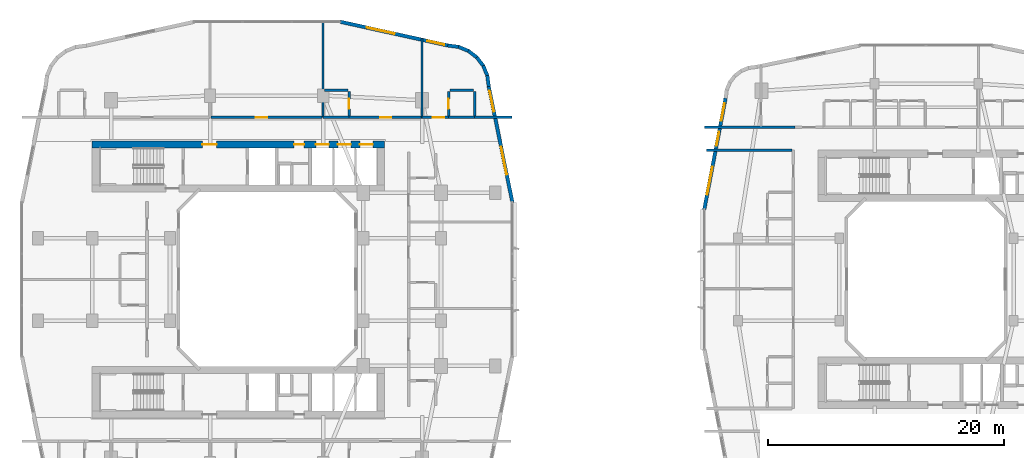
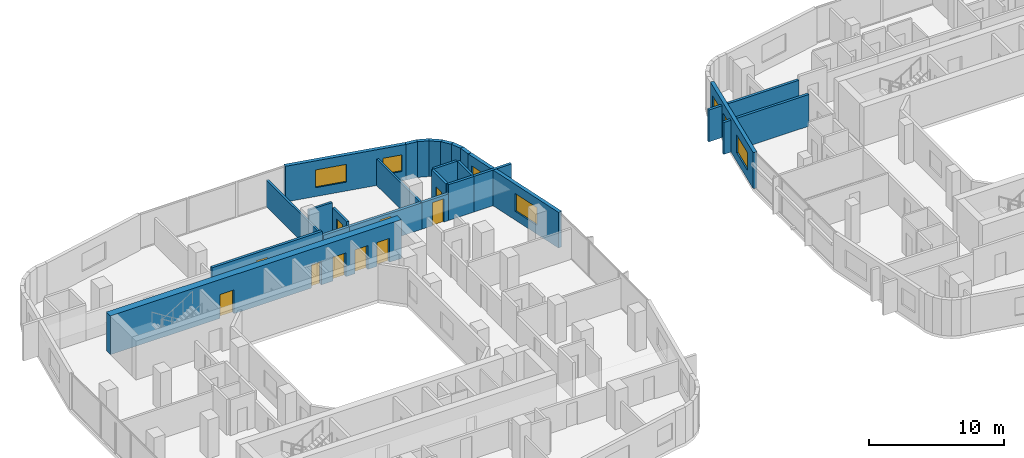
# One storey, part 17 of 27: 25 walls, 10 doors, 7 windows, 17 openings.
"""IFC4 building model written with IfcOpenShell, lengths in metres."""

import ifcopenshell
import ifcopenshell.guid

model = None  # the IFC model being written
_history = None  # IfcOwnerHistory: only IFC2X3 demands one
_inside = {}  # id of a spatial element -> (the spatial element, [elements in it])
_under = {}  # id of a project, library or spatial element -> (it, [spatial elements below it])
_declared = {}  # id of a project -> (the project, [libraries it declares])
_typed = {}  # id of a type object -> (the type object, [elements of that type])
_made_of = {}  # id of a material, layer set ... -> (it, [elements and type objects made of it])


def new_model(schema):
    """Start an empty IFC model of exactly this schema.

    Asked for "IFC4X3", IfcOpenShell would pick the latest addendum, in which some entities
    have other attributes; the version numbers below select the first issue.
    IFC2X3 requires an IfcOwnerHistory on every rooted entity: one is made here for all.
    """
    global model, _history
    if schema == "IFC4X3":
        model = ifcopenshell.file(schema_version=(4, 3, 0, 0))
    else:
        model = ifcopenshell.file(schema=schema)
    _inside.clear()
    _under.clear()
    _declared.clear()
    _typed.clear()
    _made_of.clear()
    _history = None
    if model.schema == "IFC2X3":
        org = make("IfcOrganization", Name="unknown")
        user = make(
            "IfcPersonAndOrganization",
            ThePerson=make("IfcPerson", FamilyName="unknown"),
            TheOrganization=org,
        )
        app = make(
            "IfcApplication",
            ApplicationDeveloper=org,
            Version="unknown",
            ApplicationFullName="unknown",
            ApplicationIdentifier="unknown",
        )
        _history = make(
            "IfcOwnerHistory",
            OwningUser=user,
            OwningApplication=app,
            ChangeAction="ADDED",
            CreationDate=0,
        )
    return model


def make(cls, **values):
    """One entity of the class cls with the attributes given. An attribute that is None is left unset."""
    return model.create_entity(
        cls, **{name: value for name, value in values.items() if value is not None}
    )


def rooted(cls, **values):
    """An entity with a GlobalId (a new one), such as an element, a storey or a relation."""
    return make(cls, GlobalId=ifcopenshell.guid.new(), OwnerHistory=_history, **values)


def si_unit(unit_type, name, prefix=None):
    """IfcSIUnit, for example si_unit("LENGTHUNIT", "METRE", prefix="MILLI")."""
    return make("IfcSIUnit", UnitType=unit_type, Prefix=prefix, Name=name)


def derived_unit(unit_type, elements):
    """IfcDerivedUnit: a product of units, each with its exponent."""
    return make(
        "IfcDerivedUnit",
        Elements=[
            make("IfcDerivedUnitElement", Unit=unit, Exponent=power)
            for unit, power in elements
        ],
        UnitType=unit_type,
    )


def assignment(units):
    """IfcUnitAssignment: the units of a project."""
    return None if units is None else make("IfcUnitAssignment", Units=units)


def point(xyz):
    """IfcCartesianPoint."""
    return None if xyz is None else make("IfcCartesianPoint", Coordinates=xyz)


def direction(xyz):
    """IfcDirection."""
    return None if xyz is None else make("IfcDirection", DirectionRatios=xyz)


def frame(location, z_axis=None, x_axis=None):
    """IfcAxis2Placement3D, a coordinate frame: its origin and axes. An axis left out is left unset."""
    return make(
        "IfcAxis2Placement3D",
        Location=point(location),
        Axis=direction(z_axis),
        RefDirection=direction(x_axis),
    )


def frame_2d(location, x_axis=None):
    """IfcAxis2Placement2D, a coordinate frame in the plane: its origin and x axis."""
    return make(
        "IfcAxis2Placement2D", Location=point(location), RefDirection=direction(x_axis)
    )


def origin():
    """The frame at (0, 0, 0) with its axes left unset."""
    return frame((0.0, 0.0, 0.0))


def place(relative_to, where):
    """IfcLocalPlacement: puts the frame where relative to a parent placement (None: the world)."""
    return make(
        "IfcLocalPlacement", PlacementRelTo=relative_to, RelativePlacement=where
    )


def context(
    kind, dimensions, precision=None, world=None, true_north=None, identifier=None
):
    """IfcGeometricRepresentationContext, for example the 3D "Model" context."""
    return make(
        "IfcGeometricRepresentationContext",
        ContextIdentifier=identifier,
        ContextType=kind,
        CoordinateSpaceDimension=dimensions,
        Precision=precision,
        WorldCoordinateSystem=world,
        TrueNorth=true_north,
    )


def subcontext(parent, identifier, kind, view, scale=None):
    """IfcGeometricRepresentationSubContext, for example "Body" below "Model"."""
    return make(
        "IfcGeometricRepresentationSubContext",
        ContextIdentifier=identifier,
        ContextType=kind,
        ParentContext=parent,
        TargetScale=scale,
        TargetView=view,
    )


def project(units=None, contexts=None):
    """IfcProject with its units and contexts."""
    return rooted(
        "IfcProject",
        Name="project",
        RepresentationContexts=contexts,
        UnitsInContext=assignment(units),
    )


def spatial(cls, under=None, at=None, **own):
    """A site, building, storey or space (cls), placed at a placement, below another one or the project."""
    s = rooted(cls, ObjectPlacement=at, **own)
    if under is not None:
        _under.setdefault(under.id(), (under, []))[1].append(s)
    return s


def profile(cls, at=None, kind="AREA", **sizes):
    """A parametric profile (cls). Its sizes go by their IFC names, for example OverallWidth=200.0."""
    return make(cls, ProfileType=kind, Position=at, **sizes)


def rectangle(**sizes):
    """IfcRectangleProfileDef."""
    return profile("IfcRectangleProfileDef", **sizes)


def extrude(swept, where, along, depth):
    """IfcExtrudedAreaSolid: the profile swept, set in the frame where, extruded along a direction by depth."""
    return make(
        "IfcExtrudedAreaSolid",
        SweptArea=swept,
        Position=where,
        ExtrudedDirection=direction(along),
        Depth=depth,
    )


def shape(context_of_items, identifier, shape_type, items):
    """IfcShapeRepresentation: the items that make up one representation, for example the "Body"."""
    return make(
        "IfcShapeRepresentation",
        ContextOfItems=context_of_items,
        RepresentationIdentifier=identifier,
        RepresentationType=shape_type,
        Items=items,
    )


def material(Name=None, Category=None):
    """IfcMaterial."""
    return make("IfcMaterial", Name=Name, Category=Category)


def layer(
    of_material, thickness, ventilated=None, Name=None, Category=None, Priority=None
):
    """IfcMaterialLayer: one layer of a wall or slab, of a material (None: an air gap)."""
    return make(
        "IfcMaterialLayer",
        Material=of_material,
        LayerThickness=thickness,
        IsVentilated=ventilated,
        Name=Name,
        Category=Category,
        Priority=Priority,
    )


def layer_set(layers, Name=None):
    """IfcMaterialLayerSet."""
    return make("IfcMaterialLayerSet", MaterialLayers=layers, LayerSetName=Name)


def made_of(thing, what):
    """Note that an element or type object is made of a material, layer set ...; save() writes the relation."""
    if what is not None:
        _made_of.setdefault(what.id(), (what, []))[1].append(thing)
    return thing


def type_object(cls, material=None, **own):
    """A type object (cls), such as IfcWallType, which elements share."""
    return made_of(rooted(cls, **own), material)


def element(
    cls,
    number,
    at=None,
    inside=None,
    cuts=None,
    type_object=None,
    material=None,
    context=None,
    identifier="Body",
    shape_type=None,
    held_by="IfcProductDefinitionShape",
    body=None,
    shapes=None,
    **own,
):
    """One element of the class cls, such as IfcWall. Its Tag is "e" and its number.

    at: its placement. inside: the storey or other place that contains it. cuts: it is an
    opening in that element (IfcRelVoidsElement). A single representation is given by context,
    identifier, shape_type and body (its items); several are given by shapes. held_by: the class
    of the entity that holds the representations. save() writes the other relations.
    """
    e = rooted(cls, Tag="e%d" % number, ObjectPlacement=at, **own)
    if body is not None:
        shapes = [shape(context, identifier, shape_type, body)]
    if shapes is not None:
        e.Representation = make(held_by, Representations=shapes)
    if inside is not None:
        _inside.setdefault(inside.id(), (inside, []))[1].append(e)
    if cuts is not None:
        rooted(
            "IfcRelVoidsElement", RelatingBuildingElement=cuts, RelatedOpeningElement=e
        )
    if type_object is not None:
        _typed.setdefault(type_object.id(), (type_object, []))[1].append(e)
    return made_of(e, material)


def fill(opening, filler):
    """IfcRelFillsElement: the door or window that sits in an opening."""
    return rooted(
        "IfcRelFillsElement",
        RelatingOpeningElement=opening,
        RelatedBuildingElement=filler,
    )


def aggregate(whole, parts):
    """IfcRelAggregates: a whole, such as a stair, and the parts it consists of."""
    return rooted("IfcRelAggregates", RelatingObject=whole, RelatedObjects=parts)


def save(model, path):
    """Write the relations noted so far, then the file.

    IfcRelAggregates (storeys below a building ...), IfcRelContainedInSpatialStructure (elements
    in a storey), IfcRelDefinesByType, IfcRelAssociatesMaterial and IfcRelDeclares: one each for
    every whole, place, type object, material and project.
    """
    for whole, parts in _under.values():
        aggregate(whole, parts)
    for where, things in _inside.values():
        rooted(
            "IfcRelContainedInSpatialStructure",
            RelatedElements=things,
            RelatingStructure=where,
        )
    for kind, things in _typed.values():
        rooted("IfcRelDefinesByType", RelatedObjects=things, RelatingType=kind)
    for what, things in _made_of.values():
        rooted("IfcRelAssociatesMaterial", RelatedObjects=things, RelatingMaterial=what)
    for by, libraries in _declared.values():
        rooted("IfcRelDeclares", RelatingContext=by, RelatedDefinitions=libraries)
    model.write(path)


model = new_model("IFC4")

# Units and contexts
model_context = context("Model", 3, precision=1e-05, world=origin(), true_north=direction((0.0, 1.0)))
body_context = subcontext(model_context, "Body", "Model", "MODEL_VIEW")
ifc_project = project(units=[si_unit("LENGTHUNIT", "METRE"), si_unit("AREAUNIT", "SQUARE_METRE"), si_unit("VOLUMEUNIT", "CUBIC_METRE"), si_unit("PLANEANGLEUNIT", "RADIAN"), si_unit("MASSUNIT", "GRAM", prefix="KILO"), derived_unit("THERMALTRANSMITTANCEUNIT", [(si_unit("POWERUNIT", "WATT"), 1), (si_unit("LENGTHUNIT", "METRE"), -2), (si_unit("THERMODYNAMICTEMPERATUREUNIT", "KELVIN"), -1)])], contexts=[model_context])

# Site, building, storey
site_placement = place(None, origin())
site = spatial("IfcSite", under=ifc_project, at=site_placement, CompositionType="ELEMENT")
building_placement = place(site_placement, origin())
building = spatial("IfcBuilding", under=site, at=building_placement, Name="Kivonza Crest Hotel", CompositionType="ELEMENT")
storey_placement = place(building_placement, frame((0.0, 0.0, 31.0)))
storey = spatial("IfcBuildingStorey", under=building, at=storey_placement, Name="L07", CompositionType="ELEMENT", Elevation=31.0)

# Walls
ifc_material_1 = material(Name="High-density acoustic masonry inter-tenancy wall", Category="masonry")
ifc_layer_1 = layer(ifc_material_1, 0.179931640625)
ifc_layer_set_1 = layer_set([ifc_layer_1], Name="High-density acoustic masonry inter-tenancy wall")
wall_type_1 = type_object("IfcWallType", Name="WL-ACOU-180", PredefinedType="SOLIDWALL", material=ifc_layer_set_1)
wall_1_placement = place(storey_placement, frame((25.800048828125, 38.75, 0.0), z_axis=(0.0, 0.0, 1.0), x_axis=(0.0, 1.0, 0.0)))
element("IfcWall", 1, at=wall_1_placement, inside=storey, type_object=wall_type_1, Name="L07 interior partition WA-L07-T1N-DIV2", PredefinedType="SOLIDWALL", context=body_context, shape_type="SweptSolid", body=[
    extrude(rectangle(XDim=8.18994140625, YDim=0.179931640625, at=frame_2d((4.094970703125, 0.0))), origin(), (0.0, 0.0, 1.0), 2.39501953125),
])
wall_2_placement = place(storey_placement, frame((34.199951171875, 38.75, 0.0), z_axis=(0.0, 0.0, 1.0), x_axis=(0.0, 1.0, 0.0)))
element("IfcWall", 2, at=wall_2_placement, inside=storey, type_object=wall_type_1, Name="L07 interior partition WA-L07-T1N-DIV3", PredefinedType="SOLIDWALL", context=body_context, shape_type="SweptSolid", body=[
    extrude(rectangle(XDim=6.674072265625, YDim=0.179931640625, at=frame_2d((3.3369140625, 0.0))), origin(), (0.0, 0.0, 1.0), 2.39501953125),
])

# Wall, opening, door
ifc_material_2 = material(Name="Autoclaved aerated concrete blockwork", Category="masonry")
ifc_layer_2 = layer(ifc_material_2, 0.219970703125)
ifc_layer_set_2 = layer_set([ifc_layer_2], Name="Autoclaved aerated concrete blockwork")
wall_type_2 = type_object("IfcWallType", Name="WL-ACOU-220", PredefinedType="SOLIDWALL", material=ifc_layer_set_2)
wall_3_placement = place(storey_placement, frame((16.300048828125, 38.75, 0.0), z_axis=(0.0, 0.0, 1.0), x_axis=(1.0, 0.0, 0.0)))
wall_3 = element("IfcWall", 3, at=wall_3_placement, inside=storey, type_object=wall_type_2, Name="L07 interior partition WA-L07-HK-MAIN-S", PredefinedType="SOLIDWALL", context=body_context, shape_type="SweptSolid", body=[
    extrude(rectangle(XDim=9.39990234375, YDim=0.219970703125, at=frame_2d((4.699951171875, 0.0))), origin(), (0.0, 0.0, 1.0), 2.794921875),
])
opening_1_placement = place(wall_3_placement, frame((3.79296875, 0.0, 0.0)))
opening_1 = element("IfcOpeningElement", 4, at=opening_1_placement, cuts=wall_3, Name="Opening DF-60S", PredefinedType="OPENING", context=body_context, shape_type="SweptSolid", body=[
    extrude(rectangle(XDim=0.949951171875, YDim=2.10009765625, at=frame_2d((0.47509765625, 1.050048828125))), frame((0.0, 0.1201171875, 0.0), z_axis=(0.0, -1.0, 0.0), x_axis=(1.0, 0.0, 0.0)), (0.0, 0.0, 1.0), 0.239990234375),
])
ifc_material_3 = material(Name="Hardwood timber oak", Category="wood")
door_type_1 = type_object("IfcDoorType", Name="DR-FD60-950", OperationType="NOTDEFINED", PredefinedType="DOOR", material=ifc_material_3)
door_1_placement = place(opening_1_placement, origin())
door_1 = element("IfcDoor", 5, at=door_1_placement, inside=storey, type_object=door_type_1, Name="L07 Housekeeping and Linen Room door", OperationType="SINGLE_SWING_RIGHT", OverallHeight=2.10009765625, OverallWidth=0.949951171875, PredefinedType="DOOR", context=body_context, shape_type="SweptSolid", body=[
    extrude(rectangle(XDim=0.949951171875, YDim=2.10009765625, at=frame_2d((0.47509765625, 1.050048828125))), frame((0.0, 0.02490234375, 0.0), z_axis=(0.0, -1.0, 0.0), x_axis=(1.0, 0.0, 0.0)), (0.0, 0.0, 1.0), 0.050048828125),
])
fill(opening_1, door_1)

# Wall
wall_4_placement = place(storey_placement, frame((25.800048828125, 38.75, 0.0), z_axis=(0.0, 0.0, 1.0), x_axis=(1.0, 0.0, 0.0)))
element("IfcWall", 6, at=wall_4_placement, inside=storey, type_object=wall_type_2, Name="L07 interior partition WA-L07-N02-BCORR", PredefinedType="SOLIDWALL", context=body_context, shape_type="SweptSolid", body=[
    extrude(rectangle(XDim=2.199951171875, YDim=0.219970703125, at=frame_2d((1.10009765625, 0.0))), origin(), (0.0, 0.0, 1.0), 2.39501953125),
])

# Wall, opening, door
wall_5_placement = place(storey_placement, frame((28.0, 38.75, 0.0), z_axis=(0.0, 0.0, 1.0), x_axis=(1.0, 0.0, 0.0)))
wall_5 = element("IfcWall", 7, at=wall_5_placement, inside=storey, type_object=wall_type_2, Name="L07 interior partition WA-L07-N02-MCORR", PredefinedType="SOLIDWALL", context=body_context, shape_type="SweptSolid", body=[
    extrude(rectangle(XDim=6.199951171875, YDim=0.219970703125, at=frame_2d((3.10009765625, 0.0))), origin(), (0.0, 0.0, 1.0), 2.39501953125),
])
opening_2_placement = place(wall_5_placement, frame((2.625, 0.0, 0.0)))
opening_2 = element("IfcOpeningElement", 8, at=opening_2_placement, cuts=wall_5, Name="Opening DU-60", PredefinedType="OPENING", context=body_context, shape_type="SweptSolid", body=[
    extrude(rectangle(XDim=0.949951171875, YDim=2.10009765625, at=frame_2d((0.47509765625, 1.050048828125))), frame((0.0, 0.1201171875, 0.0), z_axis=(0.0, -1.0, 0.0), x_axis=(1.0, 0.0, 0.0)), (0.0, 0.0, 1.0), 0.239990234375),
])
door_type_2 = type_object("IfcDoorType", Name="DR-UNIT-950", OperationType="NOTDEFINED", PredefinedType="DOOR", material=ifc_material_3)
door_2_placement = place(opening_2_placement, origin())
door_2 = element("IfcDoor", 9, at=door_2_placement, inside=storey, type_object=door_type_2, Name="L07 N02 guest unit entrance fire door", OperationType="SINGLE_SWING_RIGHT", OverallHeight=2.10009765625, OverallWidth=0.949951171875, PredefinedType="DOOR", context=body_context, shape_type="SweptSolid", body=[
    extrude(rectangle(XDim=0.949951171875, YDim=2.10009765625, at=frame_2d((0.47509765625, 1.050048828125))), frame((0.0, 0.02490234375, 0.0), z_axis=(0.0, -1.0, 0.0), x_axis=(1.0, 0.0, 0.0)), (0.0, 0.0, 1.0), 0.050048828125),
])
fill(opening_2, door_2)

# Walls
wall_6_placement = place(storey_placement, frame((38.64990234375, 38.75, 0.0), z_axis=(0.0, 0.0, 1.0), x_axis=(1.0, 0.0, 0.0)))
element("IfcWall", 10, at=wall_6_placement, inside=storey, type_object=wall_type_2, Name="L07 interior partition WA-L07-N03-XCORR", PredefinedType="SOLIDWALL", context=body_context, shape_type="SweptSolid", body=[
    extrude(rectangle(XDim=3.190185546875, YDim=0.219970703125, at=frame_2d((1.59521484375, 0.0))), origin(), (0.0, 0.0, 1.0), 3.219970703125),
])
wall_7_placement = place(storey_placement, frame((36.449951171875, 38.75, 0.0), z_axis=(0.0, 0.0, 1.0), x_axis=(1.0, 0.0, 0.0)))
element("IfcWall", 11, at=wall_7_placement, inside=storey, type_object=wall_type_2, Name="L07 interior partition WA-L07-N03-BCORR", PredefinedType="SOLIDWALL", context=body_context, shape_type="SweptSolid", body=[
    extrude(rectangle(XDim=2.199951171875, YDim=0.219970703125, at=frame_2d((1.10009765625, 0.0))), origin(), (0.0, 0.0, 1.0), 3.219970703125),
])

# Wall, opening, door
wall_8_placement = place(storey_placement, frame((34.199951171875, 38.75, 0.0), z_axis=(0.0, 0.0, 1.0), x_axis=(1.0, 0.0, 0.0)))
wall_8 = element("IfcWall", 12, at=wall_8_placement, inside=storey, type_object=wall_type_2, Name="L07 interior partition WA-L07-N03-MCORR", PredefinedType="SOLIDWALL", context=body_context, shape_type="SweptSolid", body=[
    extrude(rectangle(XDim=2.25, YDim=0.219970703125, at=frame_2d((1.125, 0.0))), origin(), (0.0, 0.0, 1.0), 2.39501953125),
])
opening_3_placement = place(wall_8_placement, frame((0.909912109375, 0.0, 0.0)))
opening_3 = element("IfcOpeningElement", 13, at=opening_3_placement, cuts=wall_8, Name="Opening DU-60", PredefinedType="OPENING", context=body_context, shape_type="SweptSolid", body=[
    extrude(rectangle(XDim=0.949951171875, YDim=2.10009765625, at=frame_2d((0.47509765625, 1.050048828125))), frame((0.0, 0.1201171875, 0.0), z_axis=(0.0, -1.0, 0.0), x_axis=(1.0, 0.0, 0.0)), (0.0, 0.0, 1.0), 0.239990234375),
])
door_3_placement = place(opening_3_placement, origin())
door_3 = element("IfcDoor", 14, at=door_3_placement, inside=storey, type_object=door_type_2, Name="L07 N03 guest unit entrance fire door", OperationType="SINGLE_SWING_LEFT", OverallHeight=2.10009765625, OverallWidth=0.949951171875, PredefinedType="DOOR", context=body_context, shape_type="SweptSolid", body=[
    extrude(rectangle(XDim=0.949951171875, YDim=2.10009765625, at=frame_2d((0.47509765625, 1.050048828125))), frame((0.0, 0.02490234375, 0.0), z_axis=(0.0, -1.0, 0.0), x_axis=(1.0, 0.0, 0.0)), (0.0, 0.0, 1.0), 0.050048828125),
])
fill(opening_3, door_3)

# Walls
wall_9_placement = place(storey_placement, frame((58.159912109375, 37.89990234375, 0.0), z_axis=(0.0, 0.0, 1.0), x_axis=(1.0, 0.0, 0.0)))
element("IfcWall", 15, at=wall_9_placement, inside=storey, type_object=wall_type_2, Name="L07 interior partition WA-L07-A01-LCORR", PredefinedType="SOLIDWALL", context=body_context, shape_type="SweptSolid", body=[
    extrude(rectangle(XDim=7.690185546875, YDim=0.219970703125, at=frame_2d((3.84521484375, 0.0))), origin(), (0.0, 0.0, 1.0), 2.864990234375),
])
wall_10_placement = place(storey_placement, frame((58.320068359375, 35.9599609375, 0.0), z_axis=(0.0, 0.0, 1.0), x_axis=(1.0, 0.0, 0.0)))
element("IfcWall", 16, at=wall_10_placement, inside=storey, type_object=wall_type_2, Name="L07 interior partition WA-L07-T2W-ENDN", PredefinedType="SOLIDWALL", context=body_context, shape_type="SweptSolid", body=[
    extrude(rectangle(XDim=7.280029296875, YDim=0.219970703125, at=frame_2d((3.64013671875, 0.0))), origin(), (0.0, 0.0, 1.0), 2.864990234375),
])

# Wall, openings, doors
ifc_material_4 = material(Name="Concrete C60/75", Category="concrete")
ifc_layer_3 = layer(ifc_material_4, 0.60009765625)
ifc_layer_set_3 = layer_set([ifc_layer_3], Name="Concrete C60/75")
wall_type_3 = type_object("IfcWallType", Name="WL-CORE-600", PredefinedType="SHEAR", material=ifc_layer_set_3)
wall_11_placement = place(storey_placement, frame((6.199951171875, 36.4599609375, 0.0), z_axis=(0.0, 0.0, 1.0), x_axis=(1.0, 0.0, 0.0)))
wall_11 = element("IfcWall", 17, at=wall_11_placement, inside=storey, type_object=wall_type_3, Name="Core wall T1-N North L07", PredefinedType="SHEAR", context=body_context, shape_type="SweptSolid", body=[
    extrude(rectangle(XDim=24.800048828125, YDim=0.60009765625, at=frame_2d((12.39990234375, 0.0))), origin(), (0.0, 0.0, 1.0), 3.5),
])
opening_4_placement = place(wall_11_placement, frame((9.35009765625, 0.0, 0.0)))
opening_4 = element("IfcOpeningElement", 18, at=opening_4_placement, cuts=wall_11, Name="Opening DF-60", PredefinedType="OPENING", context=body_context, shape_type="SweptSolid", body=[
    extrude(rectangle(XDim=1.199951171875, YDim=2.14990234375, at=frame_2d((0.60009765625, 1.074951171875))), frame((0.0, 0.31005859375, 0.0), z_axis=(0.0, -1.0, 0.0), x_axis=(1.0, 0.0, 0.0)), (0.0, 0.0, 1.0), 0.6201171875),
])
opening_5_placement = place(wall_11_placement, frame((17.139892578125, 0.0, 0.0)))
opening_5 = element("IfcOpeningElement", 19, at=opening_5_placement, cuts=wall_11, Name="Opening DF-60R", PredefinedType="OPENING", context=body_context, shape_type="SweptSolid", body=[
    extrude(rectangle(XDim=0.85009765625, YDim=2.10009765625, at=frame_2d((0.425048828125, 1.050048828125))), frame((0.0, 0.31005859375, 0.0), z_axis=(0.0, -1.0, 0.0), x_axis=(1.0, 0.0, 0.0)), (0.0, 0.0, 1.0), 0.6201171875),
])
opening_6_placement = place(wall_11_placement, frame((18.98291015625, 0.0, 0.0)))
opening_6 = element("IfcOpeningElement", 20, at=opening_6_placement, cuts=wall_11, Name="Opening LD-120", PredefinedType="OPENING", context=body_context, shape_type="SweptSolid", body=[
    extrude(rectangle(XDim=1.10009765625, YDim=2.14990234375, at=frame_2d((0.550048828125, 1.074951171875))), frame((0.0, 0.31005859375, 0.0), z_axis=(0.0, -1.0, 0.0), x_axis=(1.0, 0.0, 0.0)), (0.0, 0.0, 1.0), 0.6201171875),
])
opening_7_placement = place(wall_11_placement, frame((20.85009765625, 0.0, 0.0)))
opening_7 = element("IfcOpeningElement", 21, at=opening_7_placement, cuts=wall_11, Name="Opening LD-120", PredefinedType="OPENING", context=body_context, shape_type="SweptSolid", body=[
    extrude(rectangle(XDim=1.10009765625, YDim=2.14990234375, at=frame_2d((0.550048828125, 1.074951171875))), frame((0.0, 0.31005859375, 0.0), z_axis=(0.0, -1.0, 0.0), x_axis=(1.0, 0.0, 0.0)), (0.0, 0.0, 1.0), 0.6201171875),
])
opening_8_placement = place(wall_11_placement, frame((22.716064453125, 0.0, 0.0)))
opening_8 = element("IfcOpeningElement", 22, at=opening_8_placement, cuts=wall_11, Name="Opening LD-120", PredefinedType="OPENING", context=body_context, shape_type="SweptSolid", body=[
    extrude(rectangle(XDim=1.10009765625, YDim=2.14990234375, at=frame_2d((0.550048828125, 1.074951171875))), frame((0.0, 0.31005859375, 0.0), z_axis=(0.0, -1.0, 0.0), x_axis=(1.0, 0.0, 0.0)), (0.0, 0.0, 1.0), 0.6201171875),
])
door_type_3 = type_object("IfcDoorType", Name="DR-FD60-1200", OperationType="NOTDEFINED", PredefinedType="DOOR", material=ifc_material_3)
door_4_placement = place(opening_4_placement, origin())
door_4 = element("IfcDoor", 23, at=door_4_placement, inside=storey, type_object=door_type_3, Name="L07 T1-N firefighting lobby fire door", OperationType="SINGLE_SWING_RIGHT", OverallHeight=2.14990234375, OverallWidth=1.199951171875, PredefinedType="DOOR", context=body_context, shape_type="SweptSolid", body=[
    extrude(rectangle(XDim=1.199951171875, YDim=2.14990234375, at=frame_2d((0.60009765625, 1.074951171875))), frame((0.0, 0.02490234375, 0.0), z_axis=(0.0, -1.0, 0.0), x_axis=(1.0, 0.0, 0.0)), (0.0, 0.0, 1.0), 0.050048828125),
])
fill(opening_4, door_4)
door_type_4 = type_object("IfcDoorType", Name="DR-FD60-850", OperationType="NOTDEFINED", PredefinedType="DOOR", material=ifc_material_3)
door_5_placement = place(opening_5_placement, origin())
door_5 = element("IfcDoor", 24, at=door_5_placement, inside=storey, type_object=door_type_4, Name="L07 T1-N core room door", OperationType="SINGLE_SWING_RIGHT", OverallHeight=2.10009765625, OverallWidth=0.85009765625, PredefinedType="DOOR", context=body_context, shape_type="SweptSolid", body=[
    extrude(rectangle(XDim=0.85009765625, YDim=2.10009765625, at=frame_2d((0.425048828125, 1.050048828125))), frame((0.0, 0.02490234375, 0.0), z_axis=(0.0, -1.0, 0.0), x_axis=(1.0, 0.0, 0.0)), (0.0, 0.0, 1.0), 0.050048828125),
])
fill(opening_5, door_5)
ifc_material_5 = material(Name="Stainless steel", Category="steel")
door_type_5 = type_object("IfcDoorType", Name="DR-LD120-1100", OperationType="NOTDEFINED", PredefinedType="DOOR", material=ifc_material_5)
door_6_placement = place(opening_6_placement, origin())
door_6 = element("IfcDoor", 25, at=door_6_placement, inside=storey, type_object=door_type_5, Name="L07 PL-T1-L1 passenger lift sliding landing door", OperationType="DOUBLE_DOOR_SLIDING", OverallHeight=2.14990234375, OverallWidth=1.10009765625, PredefinedType="DOOR", context=body_context, shape_type="SweptSolid", body=[
    extrude(rectangle(XDim=1.10009765625, YDim=2.14990234375, at=frame_2d((0.550048828125, 1.074951171875))), frame((0.0, 0.02490234375, 0.0), z_axis=(0.0, -1.0, 0.0), x_axis=(1.0, 0.0, 0.0)), (0.0, 0.0, 1.0), 0.050048828125),
])
fill(opening_6, door_6)
door_7_placement = place(opening_7_placement, origin())
door_7 = element("IfcDoor", 26, at=door_7_placement, inside=storey, type_object=door_type_5, Name="L07 PL-T1-L2 passenger lift sliding landing door", OperationType="DOUBLE_DOOR_SLIDING", OverallHeight=2.14990234375, OverallWidth=1.10009765625, PredefinedType="DOOR", context=body_context, shape_type="SweptSolid", body=[
    extrude(rectangle(XDim=1.10009765625, YDim=2.14990234375, at=frame_2d((0.550048828125, 1.074951171875))), frame((0.0, 0.02490234375, 0.0), z_axis=(0.0, -1.0, 0.0), x_axis=(1.0, 0.0, 0.0)), (0.0, 0.0, 1.0), 0.050048828125),
])
fill(opening_7, door_7)
door_8_placement = place(opening_8_placement, origin())
door_8 = element("IfcDoor", 27, at=door_8_placement, inside=storey, type_object=door_type_5, Name="L07 PL-T1-L3 passenger lift sliding landing door", OperationType="DOUBLE_DOOR_SLIDING", OverallHeight=2.14990234375, OverallWidth=1.10009765625, PredefinedType="DOOR", context=body_context, shape_type="SweptSolid", body=[
    extrude(rectangle(XDim=1.10009765625, YDim=2.14990234375, at=frame_2d((0.550048828125, 1.074951171875))), frame((0.0, 0.02490234375, 0.0), z_axis=(0.0, -1.0, 0.0), x_axis=(1.0, 0.0, 0.0)), (0.0, 0.0, 1.0), 0.050048828125),
])
fill(opening_8, door_8)

# Wall, openings, windows
ifc_material_6 = material(Name="Precast concrete C40/50", Category="concrete")
ifc_layer_4 = layer(ifc_material_6, 0.300048828125)
ifc_layer_set_4 = layer_set([ifc_layer_4], Name="Precast concrete C40/50")
wall_type_4 = type_object("IfcWallType", Name="WL-EXT-300", PredefinedType="STANDARD", material=ifc_layer_set_4)
wall_12_placement = place(storey_placement, frame((41.864013671875, 31.51611328125, 0.0), z_axis=(0.0, 0.0, 1.0), x_axis=(-0.199990901713, 0.979797754249, 0.0)))
wall_12 = element("IfcWall", 28, at=wall_12_placement, inside=storey, type_object=wall_type_4, Name="L07 T1 exterior insulated wall 18", PredefinedType="STANDARD", context=body_context, shape_type="SweptSolid", body=[
    extrude(rectangle(XDim=10.065185546875, YDim=0.300048828125, at=frame_2d((5.03271484375, 0.0))), origin(), (0.0, 0.0, 1.0), 3.219970703125),
])
opening_9_placement = place(wall_12_placement, frame((2.428955078125, 0.0, 0.800048828125)))
opening_9 = element("IfcOpeningElement", 29, at=opening_9_placement, cuts=wall_12, Name="Opening WN-05", PredefinedType="OPENING", context=body_context, shape_type="SweptSolid", body=[
    extrude(rectangle(XDim=2.39990234375, YDim=1.60009765625, at=frame_2d((1.199951171875, 0.800048828125))), frame((0.0, 0.16015625, 0.0), z_axis=(0.0, -1.0, 0.0), x_axis=(1.0, 0.0, 0.0)), (0.0, 0.0, 1.0), 0.320068359375),
])
opening_10_placement = place(wall_12_placement, frame((7.886962890625, 0.0, 0.85009765625)))
opening_10 = element("IfcOpeningElement", 30, at=opening_10_placement, cuts=wall_12, Name="Opening WN-03", PredefinedType="OPENING", context=body_context, shape_type="SweptSolid", body=[
    extrude(rectangle(XDim=1.800048828125, YDim=1.5, at=frame_2d((0.89990234375, 0.75))), frame((0.0, 0.16015625, 0.0), z_axis=(0.0, -1.0, 0.0), x_axis=(1.0, 0.0, 0.0)), (0.0, 0.0, 1.0), 0.320068359375),
])
ifc_material_7 = material(Name="Thermally broken bronze aluminium and low-E double glazing", Category="aluminium")
window_type_1 = type_object("IfcWindowType", Name="WN-180x150", PartitioningType="DOUBLE_PANEL_VERTICAL", PredefinedType="WINDOW", material=ifc_material_7)
window_1_placement = place(opening_10_placement, origin())
window_1 = element("IfcWindow", 31, at=window_1_placement, inside=storey, type_object=window_type_1, Name="L07 T1 facade window 18 bay 2", OverallHeight=1.5, OverallWidth=1.800048828125, PartitioningType="SINGLE_PANEL", PredefinedType="WINDOW", context=body_context, shape_type="SweptSolid", body=[
    extrude(rectangle(XDim=1.800048828125, YDim=1.5, at=frame_2d((0.89990234375, 0.75))), frame((0.0, 0.030029296875, 0.0), z_axis=(0.0, -1.0, 0.0), x_axis=(1.0, 0.0, 0.0)), (0.0, 0.0, 1.0), 0.06005859375),
])
fill(opening_10, window_1)
window_type_2 = type_object("IfcWindowType", Name="WN-240x160", PartitioningType="TRIPLE_PANEL_VERTICAL", PredefinedType="WINDOW", material=ifc_material_7)
window_2_placement = place(opening_9_placement, origin())
window_2 = element("IfcWindow", 32, at=window_2_placement, inside=storey, type_object=window_type_2, Name="L07 T1 facade window 18 bay 1", OverallHeight=1.60009765625, OverallWidth=2.39990234375, PartitioningType="SINGLE_PANEL", PredefinedType="WINDOW", context=body_context, shape_type="SweptSolid", body=[
    extrude(rectangle(XDim=2.39990234375, YDim=1.60009765625, at=frame_2d((1.199951171875, 0.800048828125))), frame((0.0, 0.030029296875, 0.0), z_axis=(0.0, -1.0, 0.0), x_axis=(1.0, 0.0, 0.0)), (0.0, 0.0, 1.0), 0.06005859375),
])
fill(opening_9, window_2)

# Walls
wall_13_placement = place(storey_placement, frame((39.85205078125, 41.3720703125, 0.0), z_axis=(0.0, 0.0, 1.0), x_axis=(-0.131174864804, 0.991359246108, 0.0)))
element("IfcWall", 33, at=wall_13_placement, inside=storey, type_object=wall_type_4, Name="L07 T1 exterior insulated wall 19", PredefinedType="STANDARD", context=body_context, shape_type="SweptSolid", body=[
    extrude(rectangle(XDim=0.93798828125, YDim=0.300048828125, at=frame_2d((0.468994140625, 0.0))), origin(), (0.0, 0.0, 1.0), 3.219970703125),
])
wall_14_placement = place(storey_placement, frame((39.748046875, 42.251953125, 0.0), z_axis=(0.0, 0.0, 1.0), x_axis=(-0.382344263057, 0.924019948111, 0.0)))
element("IfcWall", 34, at=wall_14_placement, inside=storey, type_object=wall_type_4, Name="L07 T1 exterior insulated wall 20", PredefinedType="STANDARD", context=body_context, shape_type="SweptSolid", body=[
    extrude(rectangle(XDim=0.95458984375, YDim=0.300048828125, at=frame_2d((0.477294921875, 0.0))), origin(), (0.0, 0.0, 1.0), 3.219970703125),
])
wall_15_placement = place(storey_placement, frame((39.4140625, 43.089111328125, 0.0), z_axis=(0.0, 0.0, 1.0), x_axis=(-0.608474481025, 0.793573440799, 0.0)))
element("IfcWall", 35, at=wall_15_placement, inside=storey, type_object=wall_type_4, Name="L07 T1 exterior insulated wall 21", PredefinedType="STANDARD", context=body_context, shape_type="SweptSolid", body=[
    extrude(rectangle(XDim=0.954833984375, YDim=0.300048828125, at=frame_2d((0.4775390625, 0.0))), origin(), (0.0, 0.0, 1.0), 3.219970703125),
])
wall_16_placement = place(storey_placement, frame((38.875, 43.81201171875, 0.0), z_axis=(0.0, 0.0, 1.0), x_axis=(-0.793668068435, 0.608351047625, 0.0)))
element("IfcWall", 36, at=wall_16_placement, inside=storey, type_object=wall_type_4, Name="L07 T1 exterior insulated wall 22", PredefinedType="STANDARD", context=body_context, shape_type="SweptSolid", body=[
    extrude(rectangle(XDim=0.955078125, YDim=0.300048828125, at=frame_2d((0.4775390625, 0.0))), origin(), (0.0, 0.0, 1.0), 3.219970703125),
])
wall_17_placement = place(storey_placement, frame((38.166015625, 44.368896484375, 0.0), z_axis=(0.0, 0.0, 1.0), x_axis=(-0.924019948111, 0.382344263057, 0.0)))
element("IfcWall", 37, at=wall_17_placement, inside=storey, type_object=wall_type_4, Name="L07 T1 exterior insulated wall 23", PredefinedType="STANDARD", context=body_context, shape_type="SweptSolid", body=[
    extrude(rectangle(XDim=0.95458984375, YDim=0.300048828125, at=frame_2d((0.477294921875, 0.0))), origin(), (0.0, 0.0, 1.0), 3.219970703125),
])
wall_18_placement = place(storey_placement, frame((37.3369140625, 44.72509765625, 0.0), z_axis=(0.0, 0.0, 1.0), x_axis=(-0.991454295543, 0.130454512571, 0.0)))
element("IfcWall", 38, at=wall_18_placement, inside=storey, type_object=wall_type_4, Name="L07 T1 exterior insulated wall 24", PredefinedType="STANDARD", context=body_context, shape_type="SweptSolid", body=[
    extrude(rectangle(XDim=0.97314453125, YDim=0.300048828125, at=frame_2d((0.486572265625, 0.0))), origin(), (0.0, 0.0, 1.0), 3.219970703125),
])

# Wall, openings, windows
wall_19_placement = place(storey_placement, frame((36.3759765625, 44.85205078125, 0.0), z_axis=(0.0, 0.0, 1.0), x_axis=(-0.97654500432, 0.215313386808, 0.0)))
wall_19 = element("IfcWall", 39, at=wall_19_placement, inside=storey, type_object=wall_type_4, Name="L07 T1 exterior insulated wall 25", PredefinedType="STANDARD", context=body_context, shape_type="SweptSolid", body=[
    extrude(rectangle(XDim=9.353515625, YDim=0.300048828125, at=frame_2d((4.6767578125, 0.0))), origin(), (0.0, 0.0, 1.0), 3.219970703125),
])
opening_11_placement = place(wall_19_placement, frame((0.299072265625, 0.0, 0.85009765625)))
opening_11 = element("IfcOpeningElement", 40, at=opening_11_placement, cuts=wall_19, Name="Opening WN-02", PredefinedType="OPENING", context=body_context, shape_type="SweptSolid", body=[
    extrude(rectangle(XDim=1.5, YDim=1.5, at=frame_2d((0.75, 0.75))), frame((0.0, 0.16015625, 0.0), z_axis=(0.0, -1.0, 0.0), x_axis=(1.0, 0.0, 0.0)), (0.0, 0.0, 1.0), 0.320068359375),
])
opening_12_placement = place(wall_19_placement, frame((4.631103515625, 0.0, 0.800048828125)))
opening_12 = element("IfcOpeningElement", 41, at=opening_12_placement, cuts=wall_19, Name="Opening WN-05", PredefinedType="OPENING", context=body_context, shape_type="SweptSolid", body=[
    extrude(rectangle(XDim=2.39990234375, YDim=1.60009765625, at=frame_2d((1.199951171875, 0.800048828125))), frame((0.0, 0.16015625, 0.0), z_axis=(0.0, -1.0, 0.0), x_axis=(1.0, 0.0, 0.0)), (0.0, 0.0, 1.0), 0.320068359375),
])
window_type_3 = type_object("IfcWindowType", Name="WN-150x150", PartitioningType="DOUBLE_PANEL_VERTICAL", PredefinedType="WINDOW", material=ifc_material_7)
window_3_placement = place(opening_11_placement, origin())
window_3 = element("IfcWindow", 42, at=window_3_placement, inside=storey, type_object=window_type_3, Name="L07 T1 facade window 25 bay 1", OverallHeight=1.5, OverallWidth=1.5, PartitioningType="SINGLE_PANEL", PredefinedType="WINDOW", context=body_context, shape_type="SweptSolid", body=[
    extrude(rectangle(XDim=1.5, YDim=1.5, at=frame_2d((0.75, 0.75))), frame((0.0, 0.030029296875, 0.0), z_axis=(0.0, -1.0, 0.0), x_axis=(1.0, 0.0, 0.0)), (0.0, 0.0, 1.0), 0.06005859375),
])
fill(opening_11, window_3)
window_4_placement = place(opening_12_placement, origin())
window_4 = element("IfcWindow", 43, at=window_4_placement, inside=storey, type_object=window_type_2, Name="L07 T1 facade window 25 bay 2", OverallHeight=1.60009765625, OverallWidth=2.39990234375, PartitioningType="SINGLE_PANEL", PredefinedType="WINDOW", context=body_context, shape_type="SweptSolid", body=[
    extrude(rectangle(XDim=2.39990234375, YDim=1.60009765625, at=frame_2d((1.199951171875, 0.800048828125))), frame((0.0, 0.030029296875, 0.0), z_axis=(0.0, -1.0, 0.0), x_axis=(1.0, 0.0, 0.0)), (0.0, 0.0, 1.0), 0.06005859375),
])
fill(opening_12, window_4)

wall_20_placement = place(storey_placement, frame((59.948974609375, 40.3798828125, 0.0), z_axis=(0.0, 0.0, 1.0), x_axis=(-0.188087874316, -0.982152203854, 0.0)))
wall_20 = element("IfcWall", 44, at=wall_20_placement, inside=storey, type_object=wall_type_4, Name="L07 T2 exterior insulated wall 34", PredefinedType="STANDARD", context=body_context, shape_type="SweptSolid", body=[
    extrude(rectangle(XDim=9.6337890625, YDim=0.300048828125, at=frame_2d((4.81689453125, 0.0))), origin(), (0.0, 0.0, 1.0), 3.25),
])
opening_13_placement = place(wall_20_placement, frame((0.451904296875, 0.0, 0.85009765625)))
opening_13 = element("IfcOpeningElement", 45, at=opening_13_placement, cuts=wall_20, Name="Opening WN-02", PredefinedType="OPENING", context=body_context, shape_type="SweptSolid", body=[
    extrude(rectangle(XDim=1.5, YDim=1.5, at=frame_2d((0.75, 0.75))), frame((0.0, 0.16015625, 0.0), z_axis=(0.0, -1.0, 0.0), x_axis=(1.0, 0.0, 0.0)), (0.0, 0.0, 1.0), 0.320068359375),
])
opening_14_placement = place(wall_20_placement, frame((2.9130859375, 0.0, 0.85009765625)))
opening_14 = element("IfcOpeningElement", 46, at=opening_14_placement, cuts=wall_20, Name="Opening WN-01", PredefinedType="OPENING", context=body_context, shape_type="SweptSolid", body=[
    extrude(rectangle(XDim=1.199951171875, YDim=1.5, at=frame_2d((0.60009765625, 0.75))), frame((0.0, 0.16015625, 0.0), z_axis=(0.0, -1.0, 0.0), x_axis=(1.0, 0.0, 0.0)), (0.0, 0.0, 1.0), 0.320068359375),
])
opening_15_placement = place(wall_20_placement, frame((5.927978515625, 0.0, 0.800048828125)))
opening_15 = element("IfcOpeningElement", 47, at=opening_15_placement, cuts=wall_20, Name="Opening WN-05", PredefinedType="OPENING", context=body_context, shape_type="SweptSolid", body=[
    extrude(rectangle(XDim=2.39990234375, YDim=1.60009765625, at=frame_2d((1.199951171875, 0.800048828125))), frame((0.0, 0.16015625, 0.0), z_axis=(0.0, -1.0, 0.0), x_axis=(1.0, 0.0, 0.0)), (0.0, 0.0, 1.0), 0.320068359375),
])
window_type_4 = type_object("IfcWindowType", Name="WN-120x150", PartitioningType="SINGLE_PANEL", PredefinedType="WINDOW", material=ifc_material_7)
window_5_placement = place(opening_14_placement, origin())
window_5 = element("IfcWindow", 48, at=window_5_placement, inside=storey, type_object=window_type_4, Name="L07 T2 facade window 34 bay 2", OverallHeight=1.5, OverallWidth=1.199951171875, PartitioningType="SINGLE_PANEL", PredefinedType="WINDOW", context=body_context, shape_type="SweptSolid", body=[
    extrude(rectangle(XDim=1.199951171875, YDim=1.5, at=frame_2d((0.60009765625, 0.75))), frame((0.0, 0.030029296875, 0.0), z_axis=(0.0, -1.0, 0.0), x_axis=(1.0, 0.0, 0.0)), (0.0, 0.0, 1.0), 0.06005859375),
])
fill(opening_14, window_5)
window_6_placement = place(opening_13_placement, origin())
window_6 = element("IfcWindow", 49, at=window_6_placement, inside=storey, type_object=window_type_3, Name="L07 T2 facade window 34 bay 1", OverallHeight=1.5, OverallWidth=1.5, PartitioningType="SINGLE_PANEL", PredefinedType="WINDOW", context=body_context, shape_type="SweptSolid", body=[
    extrude(rectangle(XDim=1.5, YDim=1.5, at=frame_2d((0.75, 0.75))), frame((0.0, 0.030029296875, 0.0), z_axis=(0.0, -1.0, 0.0), x_axis=(1.0, 0.0, 0.0)), (0.0, 0.0, 1.0), 0.06005859375),
])
fill(opening_13, window_6)
window_7_placement = place(opening_15_placement, origin())
window_7 = element("IfcWindow", 50, at=window_7_placement, inside=storey, type_object=window_type_2, Name="L07 T2 facade window 34 bay 3", OverallHeight=1.60009765625, OverallWidth=2.39990234375, PartitioningType="SINGLE_PANEL", PredefinedType="WINDOW", context=body_context, shape_type="SweptSolid", body=[
    extrude(rectangle(XDim=2.39990234375, YDim=1.60009765625, at=frame_2d((1.199951171875, 0.800048828125))), frame((0.0, 0.030029296875, 0.0), z_axis=(0.0, -1.0, 0.0), x_axis=(1.0, 0.0, 0.0)), (0.0, 0.0, 1.0), 0.06005859375),
])
fill(opening_15, window_7)

# Wall, opening, door
ifc_material_8 = material(Name="Moisture-resistant plumbing chase partition wall", Category="gypsum")
ifc_layer_5 = layer(ifc_material_8, 0.199951171875)
ifc_layer_set_5 = layer_set([ifc_layer_5], Name="Moisture-resistant plumbing chase partition wall")
wall_type_5 = type_object("IfcWallType", Name="WL-PLUMB-200", PredefinedType="PLUMBINGWALL", material=ifc_layer_set_5)
wall_21_placement = place(storey_placement, frame((28.0, 38.85009765625, 0.0), z_axis=(0.0, 0.0, 1.0), x_axis=(0.0, 1.0, 0.0)))
wall_21 = element("IfcWall", 51, at=wall_21_placement, inside=storey, type_object=wall_type_5, Name="L07 interior partition WW-L07-N02-BV", PredefinedType="PLUMBINGWALL", context=body_context, shape_type="SweptSolid", body=[
    extrude(rectangle(XDim=2.099853515625, YDim=0.199951171875, at=frame_2d((1.0498046875, 0.0))), origin(), (0.0, 0.0, 1.0), 2.7451171875),
])
opening_16_placement = place(wall_21_placement, frame((0.625, 0.0, 0.0)))
opening_16 = element("IfcOpeningElement", 52, at=opening_16_placement, cuts=wall_21, Name="Opening DI-85", PredefinedType="OPENING", context=body_context, shape_type="SweptSolid", body=[
    extrude(rectangle(XDim=0.85009765625, YDim=2.10009765625, at=frame_2d((0.425048828125, 1.050048828125))), frame((0.0, 0.10986328125, 0.0), z_axis=(0.0, -1.0, 0.0), x_axis=(1.0, 0.0, 0.0)), (0.0, 0.0, 1.0), 0.219970703125),
])
door_type_6 = type_object("IfcDoorType", Name="DR-INT-850", OperationType="NOTDEFINED", PredefinedType="DOOR", material=ifc_material_3)
door_9_placement = place(opening_16_placement, frame((0.85009765625, 0.0, 0.0), z_axis=(0.0, 0.0, 1.0), x_axis=(-1.0, 0.0, 0.0)))
door_9 = element("IfcDoor", 53, at=door_9_placement, inside=storey, type_object=door_type_6, Name="L07 N02 en-suite bathroom door", OperationType="SINGLE_SWING_LEFT", OverallHeight=2.10009765625, OverallWidth=0.85009765625, PredefinedType="DOOR", context=body_context, shape_type="SweptSolid", body=[
    extrude(rectangle(XDim=0.85009765625, YDim=2.10009765625, at=frame_2d((0.425048828125, 1.050048828125))), frame((0.0, 0.02490234375, 0.0), z_axis=(0.0, -1.0, 0.0), x_axis=(1.0, 0.0, 0.0)), (0.0, 0.0, 1.0), 0.050048828125),
])
fill(opening_16, door_9)

# Wall
wall_22_placement = place(storey_placement, frame((25.89990234375, 41.050048828125, 0.0), z_axis=(0.0, 0.0, 1.0), x_axis=(1.0, 0.0, 0.0)))
element("IfcWall", 54, at=wall_22_placement, inside=storey, type_object=wall_type_5, Name="L07 interior partition WW-L07-N02-BH", PredefinedType="PLUMBINGWALL", context=body_context, shape_type="SweptSolid", body=[
    extrude(rectangle(XDim=2.0, YDim=0.199951171875, at=frame_2d((1.0, 0.0))), origin(), (0.0, 0.0, 1.0), 3.219970703125),
])

# Wall, opening, door
wall_23_placement = place(storey_placement, frame((36.449951171875, 38.85009765625, 0.0), z_axis=(0.0, 0.0, 1.0), x_axis=(0.0, 1.0, 0.0)))
wall_23 = element("IfcWall", 55, at=wall_23_placement, inside=storey, type_object=wall_type_5, Name="L07 interior partition WW-L07-N03-BV", PredefinedType="PLUMBINGWALL", context=body_context, shape_type="SweptSolid", body=[
    extrude(rectangle(XDim=2.099853515625, YDim=0.199951171875, at=frame_2d((1.0498046875, 0.0))), origin(), (0.0, 0.0, 1.0), 3.219970703125),
])
opening_17_placement = place(wall_23_placement, frame((0.625, 0.0, 0.0)))
opening_17 = element("IfcOpeningElement", 56, at=opening_17_placement, cuts=wall_23, Name="Opening DI-85", PredefinedType="OPENING", context=body_context, shape_type="SweptSolid", body=[
    extrude(rectangle(XDim=0.85009765625, YDim=2.10009765625, at=frame_2d((0.425048828125, 1.050048828125))), frame((0.0, 0.10986328125, 0.0), z_axis=(0.0, -1.0, 0.0), x_axis=(1.0, 0.0, 0.0)), (0.0, 0.0, 1.0), 0.219970703125),
])
door_10_placement = place(opening_17_placement, origin())
door_10 = element("IfcDoor", 57, at=door_10_placement, inside=storey, type_object=door_type_6, Name="L07 N03 en-suite bathroom door", OperationType="SINGLE_SWING_RIGHT", OverallHeight=2.10009765625, OverallWidth=0.85009765625, PredefinedType="DOOR", context=body_context, shape_type="SweptSolid", body=[
    extrude(rectangle(XDim=0.85009765625, YDim=2.10009765625, at=frame_2d((0.425048828125, 1.050048828125))), frame((0.0, 0.02490234375, 0.0), z_axis=(0.0, -1.0, 0.0), x_axis=(1.0, 0.0, 0.0)), (0.0, 0.0, 1.0), 0.050048828125),
])
fill(opening_17, door_10)

# Walls
wall_24_placement = place(storey_placement, frame((36.550048828125, 41.050048828125, 0.0), z_axis=(0.0, 0.0, 1.0), x_axis=(1.0, 0.0, 0.0)))
element("IfcWall", 58, at=wall_24_placement, inside=storey, type_object=wall_type_5, Name="L07 interior partition WW-L07-N03-BH", PredefinedType="PLUMBINGWALL", context=body_context, shape_type="SweptSolid", body=[
    extrude(rectangle(XDim=2.0, YDim=0.199951171875, at=frame_2d((1.0, 0.0))), origin(), (0.0, 0.0, 1.0), 3.219970703125),
])
wall_25_placement = place(storey_placement, frame((38.64990234375, 38.85009765625, 0.0), z_axis=(0.0, 0.0, 1.0), x_axis=(0.0, 1.0, 0.0)))
element("IfcWall", 59, at=wall_25_placement, inside=storey, type_object=wall_type_5, Name="L07 interior partition WW-L07-N03-BVE", PredefinedType="PLUMBINGWALL", context=body_context, shape_type="SweptSolid", body=[
    extrude(rectangle(XDim=2.099853515625, YDim=0.199951171875, at=frame_2d((1.0498046875, 0.0))), origin(), (0.0, 0.0, 1.0), 3.219970703125),
])

save(model, "model.ifc")
